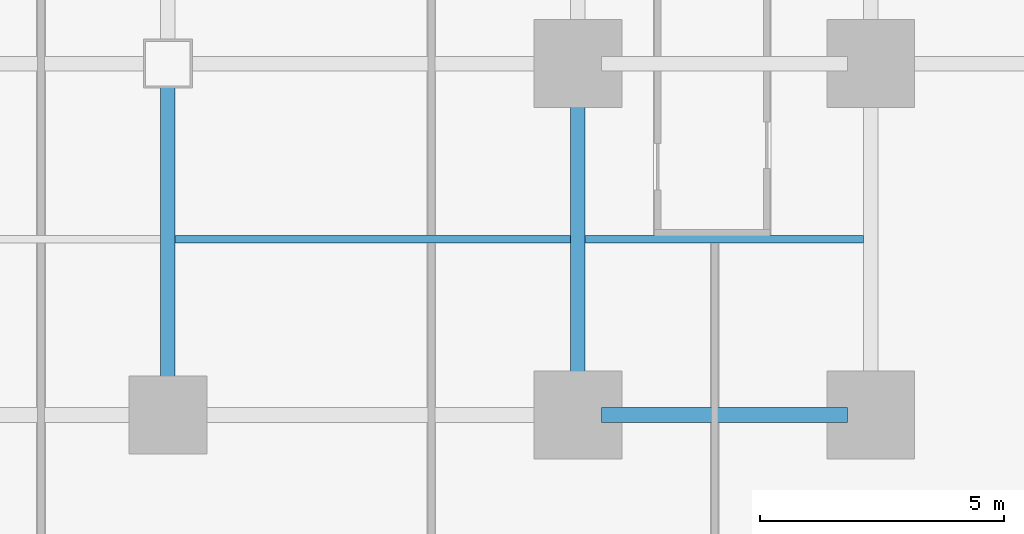
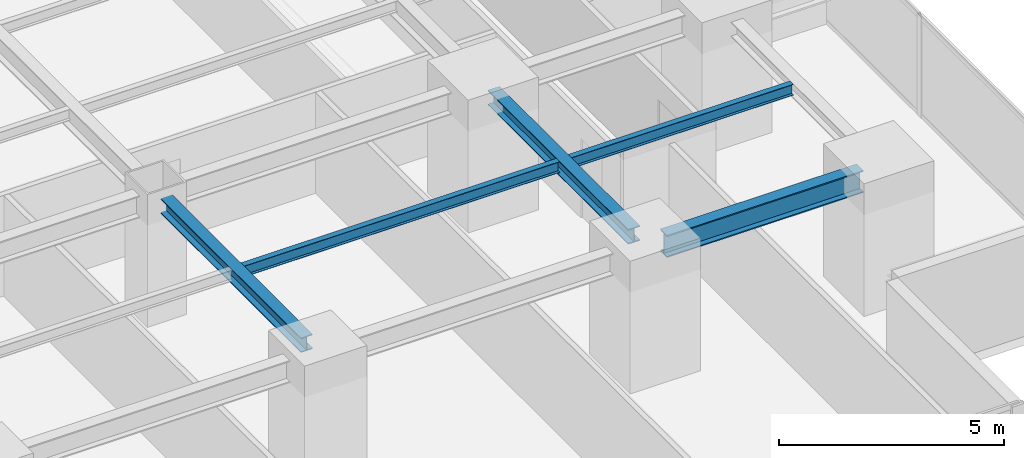
# One storey, part 12 of 34: 5 beams.
"""IFC4 building model written with IfcOpenShell, lengths in metres."""

import ifcopenshell
import ifcopenshell.guid

model = None  # the IFC model being written
_history = None  # IfcOwnerHistory: only IFC2X3 demands one
_inside = {}  # id of a spatial element -> (the spatial element, [elements in it])
_under = {}  # id of a project, library or spatial element -> (it, [spatial elements below it])
_declared = {}  # id of a project -> (the project, [libraries it declares])
_typed = {}  # id of a type object -> (the type object, [elements of that type])
_made_of = {}  # id of a material, layer set ... -> (it, [elements and type objects made of it])


def new_model(schema):
    """Start an empty IFC model of exactly this schema.

    Asked for "IFC4X3", IfcOpenShell would pick the latest addendum, in which some entities
    have other attributes; the version numbers below select the first issue.
    IFC2X3 requires an IfcOwnerHistory on every rooted entity: one is made here for all.
    """
    global model, _history
    if schema == "IFC4X3":
        model = ifcopenshell.file(schema_version=(4, 3, 0, 0))
    else:
        model = ifcopenshell.file(schema=schema)
    _inside.clear()
    _under.clear()
    _declared.clear()
    _typed.clear()
    _made_of.clear()
    _history = None
    if model.schema == "IFC2X3":
        org = make("IfcOrganization", Name="unknown")
        user = make(
            "IfcPersonAndOrganization",
            ThePerson=make("IfcPerson", FamilyName="unknown"),
            TheOrganization=org,
        )
        app = make(
            "IfcApplication",
            ApplicationDeveloper=org,
            Version="unknown",
            ApplicationFullName="unknown",
            ApplicationIdentifier="unknown",
        )
        _history = make(
            "IfcOwnerHistory",
            OwningUser=user,
            OwningApplication=app,
            ChangeAction="ADDED",
            CreationDate=0,
        )
    return model


def make(cls, **values):
    """One entity of the class cls with the attributes given. An attribute that is None is left unset."""
    return model.create_entity(
        cls, **{name: value for name, value in values.items() if value is not None}
    )


def rooted(cls, **values):
    """An entity with a GlobalId (a new one), such as an element, a storey or a relation."""
    return make(cls, GlobalId=ifcopenshell.guid.new(), OwnerHistory=_history, **values)


def si_unit(unit_type, name, prefix=None):
    """IfcSIUnit, for example si_unit("LENGTHUNIT", "METRE", prefix="MILLI")."""
    return make("IfcSIUnit", UnitType=unit_type, Prefix=prefix, Name=name)


def assignment(units):
    """IfcUnitAssignment: the units of a project."""
    return None if units is None else make("IfcUnitAssignment", Units=units)


def point(xyz):
    """IfcCartesianPoint."""
    return None if xyz is None else make("IfcCartesianPoint", Coordinates=xyz)


def direction(xyz):
    """IfcDirection."""
    return None if xyz is None else make("IfcDirection", DirectionRatios=xyz)


def frame(location, z_axis=None, x_axis=None):
    """IfcAxis2Placement3D, a coordinate frame: its origin and axes. An axis left out is left unset."""
    return make(
        "IfcAxis2Placement3D",
        Location=point(location),
        Axis=direction(z_axis),
        RefDirection=direction(x_axis),
    )


def frame_2d(location, x_axis=None):
    """IfcAxis2Placement2D, a coordinate frame in the plane: its origin and x axis."""
    return make(
        "IfcAxis2Placement2D", Location=point(location), RefDirection=direction(x_axis)
    )


def origin():
    """The frame at (0, 0, 0) with its axes left unset."""
    return frame((0.0, 0.0, 0.0))


def origin_2d():
    """The frame at (0, 0) in the plane with its x axis left unset."""
    return frame_2d((0.0, 0.0))


def place(relative_to, where):
    """IfcLocalPlacement: puts the frame where relative to a parent placement (None: the world)."""
    return make(
        "IfcLocalPlacement", PlacementRelTo=relative_to, RelativePlacement=where
    )


def context(
    kind, dimensions, precision=None, world=None, true_north=None, identifier=None
):
    """IfcGeometricRepresentationContext, for example the 3D "Model" context."""
    return make(
        "IfcGeometricRepresentationContext",
        ContextIdentifier=identifier,
        ContextType=kind,
        CoordinateSpaceDimension=dimensions,
        Precision=precision,
        WorldCoordinateSystem=world,
        TrueNorth=true_north,
    )


def subcontext(parent, identifier, kind, view, scale=None):
    """IfcGeometricRepresentationSubContext, for example "Body" below "Model"."""
    return make(
        "IfcGeometricRepresentationSubContext",
        ContextIdentifier=identifier,
        ContextType=kind,
        ParentContext=parent,
        TargetScale=scale,
        TargetView=view,
    )


def project(units=None, contexts=None):
    """IfcProject with its units and contexts."""
    return rooted(
        "IfcProject",
        Name="project",
        RepresentationContexts=contexts,
        UnitsInContext=assignment(units),
    )


def spatial(cls, under=None, at=None, **own):
    """A site, building, storey or space (cls), placed at a placement, below another one or the project."""
    s = rooted(cls, ObjectPlacement=at, **own)
    if under is not None:
        _under.setdefault(under.id(), (under, []))[1].append(s)
    return s


def profile(cls, at=None, kind="AREA", **sizes):
    """A parametric profile (cls). Its sizes go by their IFC names, for example OverallWidth=200.0."""
    return make(cls, ProfileType=kind, Position=at, **sizes)


def i_section(**sizes):
    """IfcIShapeProfileDef."""
    return profile("IfcIShapeProfileDef", **sizes)


def extrude(swept, where, along, depth):
    """IfcExtrudedAreaSolid: the profile swept, set in the frame where, extruded along a direction by depth."""
    return make(
        "IfcExtrudedAreaSolid",
        SweptArea=swept,
        Position=where,
        ExtrudedDirection=direction(along),
        Depth=depth,
    )


def shape(context_of_items, identifier, shape_type, items):
    """IfcShapeRepresentation: the items that make up one representation, for example the "Body"."""
    return make(
        "IfcShapeRepresentation",
        ContextOfItems=context_of_items,
        RepresentationIdentifier=identifier,
        RepresentationType=shape_type,
        Items=items,
    )


def source(mapping_origin, context_of_items, identifier, shape_type, items):
    """IfcRepresentationMap: a shape defined once, which mapped items show again and again."""
    return make(
        "IfcRepresentationMap",
        MappingOrigin=mapping_origin,
        MappedRepresentation=shape(context_of_items, identifier, shape_type, items),
    )


def transform(
    local_origin,
    x_axis=None,
    y_axis=None,
    z_axis=None,
    scale=None,
    scale2=None,
    scale3=None,
    uniform=True,
):
    """IfcCartesianTransformationOperator3D, or its non-uniform kind. x_axis, y_axis, z_axis: its Axis1, 2, 3."""
    if uniform:
        return make(
            "IfcCartesianTransformationOperator3D",
            Axis1=direction(x_axis),
            Axis2=direction(y_axis),
            LocalOrigin=point(local_origin),
            Scale=scale,
            Axis3=direction(z_axis),
        )
    return make(
        "IfcCartesianTransformationOperator3DnonUniform",
        Axis1=direction(x_axis),
        Axis2=direction(y_axis),
        LocalOrigin=point(local_origin),
        Scale=scale,
        Axis3=direction(z_axis),
        Scale2=scale2,
        Scale3=scale3,
    )


def mapped(mapping_source, mapping_target):
    """IfcMappedItem: shows the shape of a source again, moved by a transform."""
    return make(
        "IfcMappedItem", MappingSource=mapping_source, MappingTarget=mapping_target
    )


def material(Name=None, Category=None):
    """IfcMaterial."""
    return make("IfcMaterial", Name=Name, Category=Category)


def material_profile(
    of_material, cross_section, Name=None, Category=None, Priority=None
):
    """IfcMaterialProfile: a cross section and its material."""
    return make(
        "IfcMaterialProfile",
        Name=Name,
        Material=of_material,
        Profile=cross_section,
        Priority=Priority,
        Category=Category,
    )


def profile_set(profiles, Name=None, composite=None):
    """IfcMaterialProfileSet."""
    return make(
        "IfcMaterialProfileSet",
        Name=Name,
        MaterialProfiles=profiles,
        CompositeProfile=composite,
    )


def made_of(thing, what):
    """Note that an element or type object is made of a material, layer set ...; save() writes the relation."""
    if what is not None:
        _made_of.setdefault(what.id(), (what, []))[1].append(thing)
    return thing


def type_object(cls, material=None, **own):
    """A type object (cls), such as IfcWallType, which elements share."""
    return made_of(rooted(cls, **own), material)


def element(
    cls,
    number,
    at=None,
    inside=None,
    cuts=None,
    type_object=None,
    material=None,
    context=None,
    identifier="Body",
    shape_type=None,
    held_by="IfcProductDefinitionShape",
    body=None,
    shapes=None,
    **own,
):
    """One element of the class cls, such as IfcWall. Its Tag is "e" and its number.

    at: its placement. inside: the storey or other place that contains it. cuts: it is an
    opening in that element (IfcRelVoidsElement). A single representation is given by context,
    identifier, shape_type and body (its items); several are given by shapes. held_by: the class
    of the entity that holds the representations. save() writes the other relations.
    """
    e = rooted(cls, Tag="e%d" % number, ObjectPlacement=at, **own)
    if body is not None:
        shapes = [shape(context, identifier, shape_type, body)]
    if shapes is not None:
        e.Representation = make(held_by, Representations=shapes)
    if inside is not None:
        _inside.setdefault(inside.id(), (inside, []))[1].append(e)
    if cuts is not None:
        rooted(
            "IfcRelVoidsElement", RelatingBuildingElement=cuts, RelatedOpeningElement=e
        )
    if type_object is not None:
        _typed.setdefault(type_object.id(), (type_object, []))[1].append(e)
    return made_of(e, material)


def aggregate(whole, parts):
    """IfcRelAggregates: a whole, such as a stair, and the parts it consists of."""
    return rooted("IfcRelAggregates", RelatingObject=whole, RelatedObjects=parts)


def save(model, path):
    """Write the relations noted so far, then the file.

    IfcRelAggregates (storeys below a building ...), IfcRelContainedInSpatialStructure (elements
    in a storey), IfcRelDefinesByType, IfcRelAssociatesMaterial and IfcRelDeclares: one each for
    every whole, place, type object, material and project.
    """
    for whole, parts in _under.values():
        aggregate(whole, parts)
    for where, things in _inside.values():
        rooted(
            "IfcRelContainedInSpatialStructure",
            RelatedElements=things,
            RelatingStructure=where,
        )
    for kind, things in _typed.values():
        rooted("IfcRelDefinesByType", RelatedObjects=things, RelatingType=kind)
    for what, things in _made_of.values():
        rooted("IfcRelAssociatesMaterial", RelatedObjects=things, RelatingMaterial=what)
    for by, libraries in _declared.values():
        rooted("IfcRelDeclares", RelatingContext=by, RelatedDefinitions=libraries)
    model.write(path)


model = new_model("IFC4")

# Units and contexts
model_context = context("Model", 3, precision=1e-05, world=origin(), true_north=direction((0.0, 1.0)))
body_context = subcontext(model_context, "Body", "Model", "MODEL_VIEW")
ifc_project = project(units=[si_unit("LENGTHUNIT", "METRE"), si_unit("AREAUNIT", "SQUARE_METRE"), si_unit("VOLUMEUNIT", "CUBIC_METRE"), si_unit("PLANEANGLEUNIT", "RADIAN"), si_unit("MASSUNIT", "GRAM", prefix="KILO")], contexts=[model_context])

# Site, building, storey
site_placement = place(None, origin())
site = spatial("IfcSite", under=ifc_project, at=site_placement, CompositionType="ELEMENT")
building_placement = place(site_placement, origin())
building = spatial("IfcBuilding", under=site, at=building_placement, Name="Sumidabori Civic Tower", CompositionType="ELEMENT")
storey_placement = place(building_placement, frame((0.0, 0.0, 34.39990234375)))
storey = spatial("IfcBuildingStorey", under=building, at=storey_placement, Name="L08", CompositionType="ELEMENT", Elevation=34.39990234375)

# Beams
ifc_material = material(Name="Steel SN490", Category="steel")
ifc_material_profile_1 = material_profile(ifc_material, i_section(OverallWidth=0.300048828125, OverallDepth=0.60009765625, WebThickness=0.015380859375, FlangeThickness=0.030029296875, at=origin_2d()), Name="HE 600 B")
ifc_profile_set_1 = profile_set([ifc_material_profile_1], Name="Steel SN490")
beam_type_1 = type_object("IfcBeamType", Name="BM-GIRD-600", PredefinedType="BEAM", material=ifc_profile_set_1)
shared_shape_1 = source(origin(), body_context, "Body", "SweptSolid", [
    extrude(i_section(OverallWidth=0.300048828125, OverallDepth=0.60009765625, WebThickness=0.015380859375, FlangeThickness=0.030029296875, at=origin_2d()), origin(), (0.0, 0.0, 1.0), 5.0400390625),
])
beam_1_placement = place(storey_placement, frame((17.280029296875, -18.0, 3.06005859375), z_axis=(1.0, 0.0, 0.0), x_axis=(0.0, 1.0, 0.0)))
element("IfcBeam", 1, at=beam_1_placement, inside=storey, type_object=beam_type_1, Name="Primary Girder L08 GX-06", PredefinedType="BEAM", context=body_context, shape_type="MappedRepresentation", body=[
    mapped(shared_shape_1, transform((0.0, 0.0, 0.0), x_axis=(1.0, 0.0, 0.0), y_axis=(0.0, 1.0, 0.0), z_axis=(0.0, 0.0, 1.0), scale=1.0)),
])
ifc_material_profile_2 = material_profile(ifc_material, i_section(OverallWidth=0.300048828125, OverallDepth=0.39990234375, WebThickness=0.013427734375, FlangeThickness=0.02392578125, at=origin_2d()), Name="HE 400 B")
ifc_profile_set_2 = profile_set([ifc_material_profile_2], Name="Steel SN490")
beam_type_2 = type_object("IfcBeamType", Name="BM-GIRD-400", PredefinedType="BEAM", material=ifc_profile_set_2)
shared_shape_2 = source(origin(), body_context, "Body", "SweptSolid", [
    extrude(i_section(OverallWidth=0.300048828125, OverallDepth=0.39990234375, WebThickness=0.013427734375, FlangeThickness=0.02392578125, at=origin_2d()), origin(), (0.0, 0.0, 1.0), 6.239990234375),
])
for number, where, z_axis, x_axis, name in (
    (2, (8.39990234375, -17.52001953125, 3.16015625), (0.0, 1.0, 0.0), (-1.0, 0.0, 0.0), "Primary Girder L08 GY-33"),
    (3, (16.800048828125, -17.52001953125, 3.16015625), (0.0, 1.0, 0.0), (-1.0, 0.0, 0.0), "Primary Girder L08 GY-35"),
):
    element("IfcBeam", number, at=place(storey_placement, frame(where, z_axis=z_axis, x_axis=x_axis)), inside=storey, type_object=beam_type_2, Name=name, PredefinedType="BEAM", context=body_context, shape_type="MappedRepresentation", body=[
        mapped(shared_shape_2, transform((0.0, 0.0, 0.0), x_axis=(1.0, 0.0, 0.0), y_axis=(0.0, 1.0, 0.0), z_axis=(0.0, 0.0, 1.0), scale=1.0)),
    ])
ifc_material_profile_3 = material_profile(ifc_material, i_section(OverallWidth=0.14990234375, OverallDepth=0.300048828125, WebThickness=0.007080078125, FlangeThickness=0.0107421875, at=origin_2d()), Name="IPE 300")
ifc_profile_set_3 = profile_set([ifc_material_profile_3], Name="Steel SN490")
beam_type_3 = type_object("IfcBeamType", Name="BM-JST-300", PredefinedType="JOIST", material=ifc_profile_set_3)
shared_shape_3 = source(origin(), body_context, "Body", "SweptSolid", [
    extrude(i_section(OverallWidth=0.14990234375, OverallDepth=0.300048828125, WebThickness=0.007080078125, FlangeThickness=0.0107421875, at=origin_2d()), origin(), (0.0, 0.0, 1.0), 5.699951171875),
])
beam_2_placement = place(storey_placement, frame((16.949951171875, -14.39990234375, 3.210205078125), z_axis=(1.0, 0.0, 0.0), x_axis=(0.0, 1.0, 0.0)))
element("IfcBeam", 4, at=beam_2_placement, inside=storey, type_object=beam_type_3, Name="Outer Bay Floor Joist L08 JSTO-58", PredefinedType="JOIST", context=body_context, shape_type="MappedRepresentation", body=[
    mapped(shared_shape_3, transform((0.0, 0.0, 0.0), x_axis=(1.0, 0.0, 0.0), y_axis=(0.0, 1.0, 0.0), z_axis=(0.0, 0.0, 1.0), scale=1.0)),
])
shared_shape_4 = source(origin(), body_context, "Body", "SweptSolid", [
    extrude(i_section(OverallWidth=0.14990234375, OverallDepth=0.300048828125, WebThickness=0.007080078125, FlangeThickness=0.0107421875, at=origin_2d()), origin(), (0.0, 0.0, 1.0), 8.099853515625),
])
beam_3_placement = place(storey_placement, frame((8.550048828125, -14.39990234375, 3.210205078125), z_axis=(1.0, 0.0, 0.0), x_axis=(0.0, 1.0, 0.0)))
element("IfcBeam", 5, at=beam_3_placement, inside=storey, type_object=beam_type_3, Name="South Bay Floor Joist L08 JSTS-64", PredefinedType="JOIST", context=body_context, shape_type="MappedRepresentation", body=[
    mapped(shared_shape_4, transform((0.0, 0.0, 0.0), x_axis=(1.0, 0.0, 0.0), y_axis=(0.0, 1.0, 0.0), z_axis=(0.0, 0.0, 1.0), scale=1.0)),
])

save(model, "model.ifc")
